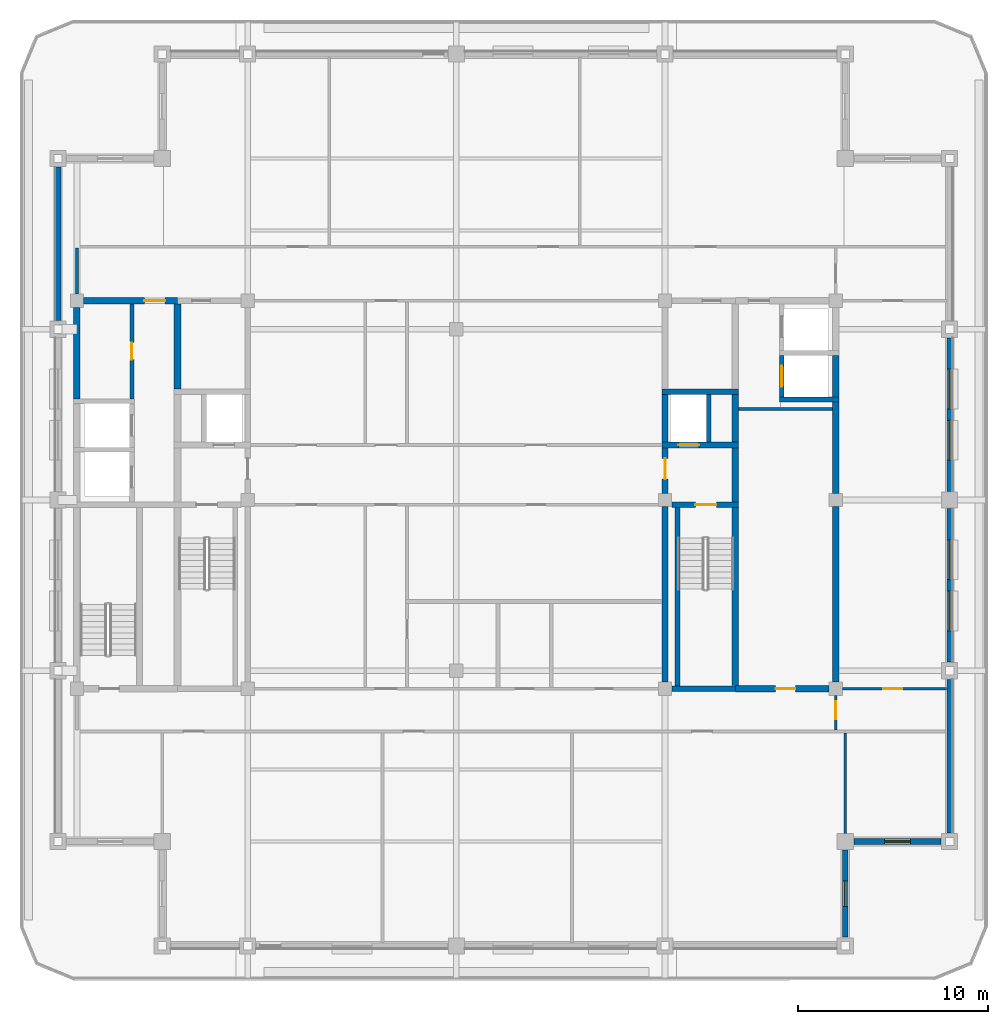
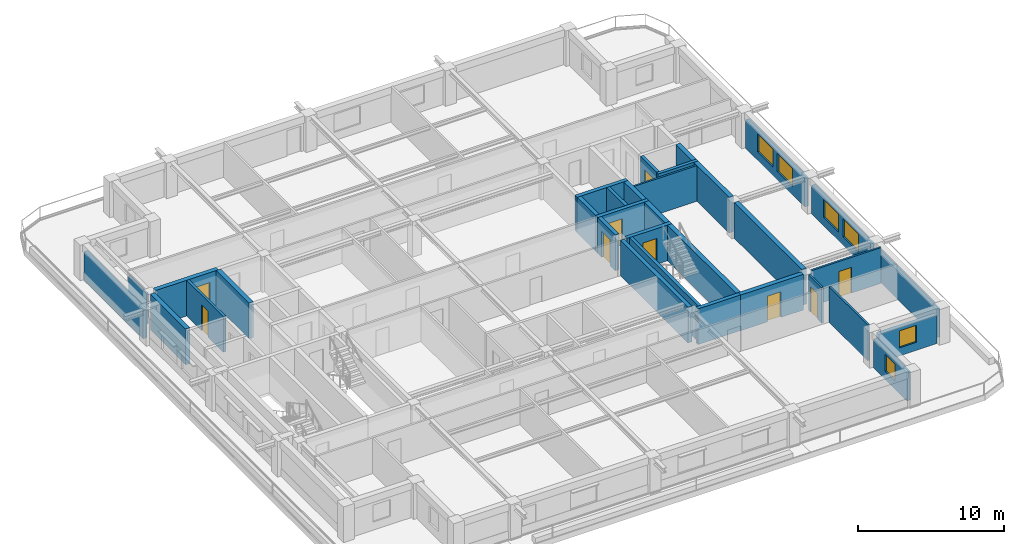
# One storey, part 4 of 11: 33 walls, 9 doors, 6 windows, 15 openings.
"""IFC4 building model written with IfcOpenShell, lengths in metres."""

from ifc_helpers import new_model, si_unit, direction, frame, frame_2d, origin, place, context, subcontext, project, spatial, rectangle, extrude, material, layer, layer_set, type_object, element, fill, save


model = new_model("IFC4")

# Units and contexts
model_context = context("Model", 3, precision=1e-05, world=origin(), true_north=direction((0.0, 1.0)))
body_context = subcontext(model_context, "Body", "Model", "MODEL_VIEW")
ifc_project = project(units=[si_unit("LENGTHUNIT", "METRE"), si_unit("AREAUNIT", "SQUARE_METRE"), si_unit("VOLUMEUNIT", "CUBIC_METRE"), si_unit("PLANEANGLEUNIT", "RADIAN"), si_unit("MASSUNIT", "GRAM", prefix="KILO")], contexts=[model_context])

# Site, building, storey
site_placement = place(None, origin())
site = spatial("IfcSite", under=ifc_project, at=site_placement, CompositionType="ELEMENT")
building_placement = place(site_placement, origin())
building = spatial("IfcBuilding", under=site, at=building_placement, Name="Zulmaris Gate Convention Tower", CompositionType="ELEMENT")
storey_placement = place(building_placement, frame((0.0, 0.0, 236.510009765625)))
storey = spatial("IfcBuildingStorey", under=building, at=storey_placement, Name="L62", CompositionType="ELEMENT", Elevation=236.510009765625)

# Walls
ifc_material_1 = material(Name="Concrete C50/60", Category="concrete")
ifc_layer_1 = layer(ifc_material_1, 0.25, Name="Concrete C50/60")
ifc_layer_set_1 = layer_set([ifc_layer_1], Name="Concrete C50/60")
wall_type_1 = type_object("IfcWallType", Name="CORE-250", PredefinedType="SOLIDWALL", material=ifc_layer_set_1)
wall_1_placement = place(storey_placement, frame((17.02490234375, 5.300048828125, 0.0), z_axis=(0.0, 0.0, 1.0), x_axis=(1.0, 0.0, 0.0)))
element("IfcWall", 1, at=wall_1_placement, inside=storey, type_object=wall_type_1, Name="WL-L62-011", PredefinedType="SOLIDWALL", context=body_context, shape_type="SweptSolid", body=[
    extrude(rectangle(XDim=3.150146484375, YDim=0.25, at=frame_2d((1.5751953125, 0.0))), origin(), (0.0, 0.0, 1.0), 2.97998046875),
])
wall_2_placement = place(storey_placement, frame((11.64990234375, -9.798095703125, 0.0), z_axis=(0.0, 0.0, 1.0), x_axis=(0.0, 1.0, 0.0)))
element("IfcWall", 2, at=wall_2_placement, inside=storey, type_object=wall_type_1, Name="WL-L62-050", PredefinedType="SOLIDWALL", context=body_context, shape_type="SweptSolid", body=[
    extrude(rectangle(XDim=9.39599609375, YDim=0.25, at=frame_2d((4.697998046875, 0.0))), origin(), (0.0, 0.0, 1.0), 2.97998046875),
])
wall_3_placement = place(storey_placement, frame((13.300048828125, 3.052001953125, 0.0), z_axis=(0.0, 0.0, 1.0), x_axis=(0.0, 1.0, 0.0)))
element("IfcWall", 3, at=wall_3_placement, inside=storey, type_object=wall_type_1, Name="WL-L62-051", PredefinedType="SOLIDWALL", context=body_context, shape_type="SweptSolid", body=[
    extrude(rectangle(XDim=2.49609375, YDim=0.25, at=frame_2d((1.248046875, 0.0))), origin(), (0.0, 0.0, 1.0), 2.97998046875),
])

# Wall, opening, door
wall_4_placement = place(storey_placement, frame((17.14990234375, 5.427001953125, 0.0), z_axis=(0.0, 0.0, 1.0), x_axis=(0.0, 1.0, 0.0)))
wall_4 = element("IfcWall", 4, at=wall_4_placement, inside=storey, type_object=wall_type_1, Name="WL-L62-056", PredefinedType="SOLIDWALL", context=body_context, shape_type="SweptSolid", body=[
    extrude(rectangle(XDim=2.196044921875, YDim=0.25, at=frame_2d((1.09814453125, 0.0))), origin(), (0.0, 0.0, 1.0), 2.97998046875),
])
opening_1_placement = place(wall_4_placement, frame((0.548095703125, 0.0, 0.0)))
opening_1 = element("IfcOpeningElement", 5, at=opening_1_placement, cuts=wall_4, Name="Opening D-06", PredefinedType="OPENING", context=body_context, shape_type="SweptSolid", body=[
    extrude(rectangle(XDim=1.10009765625, YDim=2.199951171875, at=frame_2d((0.550048828125, 1.10009765625))), frame((0.0, 0.135009765625, 0.0), z_axis=(0.0, -1.0, 0.0), x_axis=(1.0, 0.0, 0.0)), (0.0, 0.0, 1.0), 0.27001953125),
])
ifc_material_2 = material(Name="Brushed Stainless Steel", Category="steel")
door_type_1 = type_object("IfcDoorType", Name="LD-1100", OperationType="NOTDEFINED", PredefinedType="DOOR", material=ifc_material_2)
door_1_placement = place(opening_1_placement, origin())
door_1 = element("IfcDoor", 6, at=door_1_placement, inside=storey, type_object=door_type_1, Name="L62 Lift Landing Door HP-01 14", OperationType="SLIDING_TO_RIGHT", OverallHeight=2.199951171875, OverallWidth=1.10009765625, PredefinedType="DOOR", context=body_context, shape_type="SweptSolid", body=[
    extrude(rectangle(XDim=1.10009765625, YDim=2.199951171875, at=frame_2d((0.550048828125, 1.10009765625))), frame((0.0, 0.02490234375, 0.0), z_axis=(0.0, -1.0, 0.0), x_axis=(1.0, 0.0, 0.0)), (0.0, 0.0, 1.0), 0.050048828125),
])
fill(opening_1, door_1)

# Wall
ifc_layer_2 = layer(ifc_material_1, 0.300048828125, Name="Concrete C50/60")
ifc_layer_set_2 = layer_set([ifc_layer_2], Name="Concrete C50/60")
wall_type_2 = type_object("IfcWallType", Name="CORE-300", PredefinedType="SHEAR", material=ifc_layer_set_2)
wall_5_placement = place(storey_placement, frame((11.35400390625, -9.949951171875, 0.0), z_axis=(0.0, 0.0, 1.0), x_axis=(1.0, 0.0, 0.0)))
element("IfcWall", 7, at=wall_5_placement, inside=storey, type_object=wall_type_2, Name="WL-L62-003", PredefinedType="SHEAR", context=body_context, shape_type="SweptSolid", body=[
    extrude(rectangle(XDim=3.345947265625, YDim=0.300048828125, at=frame_2d((1.6728515625, 0.0))), origin(), (0.0, 0.0, 1.0), 2.97998046875),
])

# Wall, opening, door
wall_6_placement = place(storey_placement, frame((11.35400390625, -0.25, 0.0), z_axis=(0.0, 0.0, 1.0), x_axis=(1.0, 0.0, 0.0)))
wall_6 = element("IfcWall", 8, at=wall_6_placement, inside=storey, type_object=wall_type_2, Name="WL-L62-006", PredefinedType="SHEAR", context=body_context, shape_type="SweptSolid", body=[
    extrude(rectangle(XDim=3.52099609375, YDim=0.300048828125, at=frame_2d((1.760498046875, 0.0))), origin(), (0.0, 0.0, 1.0), 2.97998046875),
])
opening_2_placement = place(wall_6_placement, frame((1.24609375, 0.0, 0.0)))
opening_2 = element("IfcOpeningElement", 9, at=opening_2_placement, cuts=wall_6, Name="Opening D-08", PredefinedType="OPENING", context=body_context, shape_type="SweptSolid", body=[
    extrude(rectangle(XDim=1.10009765625, YDim=2.14990234375, at=frame_2d((0.550048828125, 1.074951171875))), frame((0.0, 0.16015625, 0.0), z_axis=(0.0, -1.0, 0.0), x_axis=(1.0, 0.0, 0.0)), (0.0, 0.0, 1.0), 0.320068359375),
])
ifc_material_3 = material(Name="Fire-Rated Steel", Category="steel")
door_type_2 = type_object("IfcDoorType", Name="DR-1100-FD", OperationType="NOTDEFINED", PredefinedType="DOOR", material=ifc_material_3)
door_2_placement = place(opening_2_placement, origin())
door_2 = element("IfcDoor", 10, at=door_2_placement, inside=storey, type_object=door_type_2, Name="L62 Exit Stair ST-2 Door 04", OperationType="SINGLE_SWING_RIGHT", OverallHeight=2.14990234375, OverallWidth=1.10009765625, PredefinedType="DOOR", context=body_context, shape_type="SweptSolid", body=[
    extrude(rectangle(XDim=1.10009765625, YDim=2.14990234375, at=frame_2d((0.550048828125, 1.074951171875))), frame((0.0, 0.02490234375, 0.0), z_axis=(0.0, -1.0, 0.0), x_axis=(1.0, 0.0, 0.0)), (0.0, 0.0, 1.0), 0.050048828125),
])
fill(opening_2, door_2)

wall_7_placement = place(storey_placement, frame((10.85009765625, 2.89990234375, 0.0), z_axis=(0.0, 0.0, 1.0), x_axis=(1.0, 0.0, 0.0)))
wall_7 = element("IfcWall", 11, at=wall_7_placement, inside=storey, type_object=wall_type_2, Name="WL-L62-009", PredefinedType="SHEAR", context=body_context, shape_type="SweptSolid", body=[
    extrude(rectangle(XDim=4.02490234375, YDim=0.300048828125, at=frame_2d((2.012451171875, 0.0))), origin(), (0.0, 0.0, 1.0), 2.97998046875),
])
opening_3_placement = place(wall_7_placement, frame((0.85009765625, 0.0, 0.0)))
opening_3 = element("IfcOpeningElement", 12, at=opening_3_placement, cuts=wall_7, Name="Opening D-06", PredefinedType="OPENING", context=body_context, shape_type="SweptSolid", body=[
    extrude(rectangle(XDim=1.10009765625, YDim=2.199951171875, at=frame_2d((0.550048828125, 1.10009765625))), frame((0.0, 0.16015625, 0.0), z_axis=(0.0, -1.0, 0.0), x_axis=(1.0, 0.0, 0.0)), (0.0, 0.0, 1.0), 0.320068359375),
])
door_3_placement = place(opening_3_placement, origin())
door_3 = element("IfcDoor", 13, at=door_3_placement, inside=storey, type_object=door_type_1, Name="L62 Lift Landing Door LF-02 06", OperationType="SLIDING_TO_RIGHT", OverallHeight=2.199951171875, OverallWidth=1.10009765625, PredefinedType="DOOR", context=body_context, shape_type="SweptSolid", body=[
    extrude(rectangle(XDim=1.10009765625, YDim=2.199951171875, at=frame_2d((0.550048828125, 1.10009765625))), frame((0.0, 0.02490234375, 0.0), z_axis=(0.0, -1.0, 0.0), x_axis=(1.0, 0.0, 0.0)), (0.0, 0.0, 1.0), 0.050048828125),
])
fill(opening_3, door_3)

# Walls
wall_8_placement = place(storey_placement, frame((10.85009765625, 5.699951171875, 0.0), z_axis=(0.0, 0.0, 1.0), x_axis=(1.0, 0.0, 0.0)))
element("IfcWall", 14, at=wall_8_placement, inside=storey, type_object=wall_type_2, Name="WL-L62-013", PredefinedType="SHEAR", context=body_context, shape_type="SweptSolid", body=[
    extrude(rectangle(XDim=4.02490234375, YDim=0.300048828125, at=frame_2d((2.012451171875, 0.0))), origin(), (0.0, 0.0, 1.0), 2.97998046875),
])
wall_9_placement = place(storey_placement, frame((11.0, -9.595947265625, 0.0), z_axis=(0.0, 0.0, 1.0), x_axis=(0.0, 1.0, 0.0)))
element("IfcWall", 15, at=wall_9_placement, inside=storey, type_object=wall_type_2, Name="WL-L62-046", PredefinedType="SHEAR", context=body_context, shape_type="SweptSolid", body=[
    extrude(rectangle(XDim=9.241943359375, YDim=0.300048828125, at=frame_2d((4.62109375, 0.0))), origin(), (0.0, 0.0, 1.0), 2.97998046875),
])

# Wall, opening, door
wall_10_placement = place(storey_placement, frame((11.0, 0.35400390625, 0.0), z_axis=(0.0, 0.0, 1.0), x_axis=(0.0, 1.0, 0.0)))
wall_10 = element("IfcWall", 16, at=wall_10_placement, inside=storey, type_object=wall_type_2, Name="WL-L62-047", PredefinedType="SHEAR", context=body_context, shape_type="SweptSolid", body=[
    extrude(rectangle(XDim=2.39404296875, YDim=0.300048828125, at=frame_2d((1.197021484375, 0.0))), origin(), (0.0, 0.0, 1.0), 2.97998046875),
])
opening_4_placement = place(wall_10_placement, frame((0.74609375, 0.0, 0.0)))
opening_4 = element("IfcOpeningElement", 17, at=opening_4_placement, cuts=wall_10, Name="Opening D-08", PredefinedType="OPENING", context=body_context, shape_type="SweptSolid", body=[
    extrude(rectangle(XDim=1.10009765625, YDim=2.14990234375, at=frame_2d((0.550048828125, 1.074951171875))), frame((0.0, 0.16015625, 0.0), z_axis=(0.0, -1.0, 0.0), x_axis=(1.0, 0.0, 0.0)), (0.0, 0.0, 1.0), 0.320068359375),
])
door_4_placement = place(opening_4_placement, origin())
door_4 = element("IfcDoor", 18, at=door_4_placement, inside=storey, type_object=door_type_2, Name="L62 East Firefighting Lobby Door 05", OperationType="SINGLE_SWING_LEFT", OverallHeight=2.14990234375, OverallWidth=1.10009765625, PredefinedType="DOOR", context=body_context, shape_type="SweptSolid", body=[
    extrude(rectangle(XDim=1.10009765625, YDim=2.14990234375, at=frame_2d((0.550048828125, 1.074951171875))), frame((0.0, 0.02490234375, 0.0), z_axis=(0.0, -1.0, 0.0), x_axis=(1.0, 0.0, 0.0)), (0.0, 0.0, 1.0), 0.050048828125),
])
fill(opening_4, door_4)

# Wall
wall_11_placement = place(storey_placement, frame((11.0, 3.052001953125, 0.0), z_axis=(0.0, 0.0, 1.0), x_axis=(0.0, 1.0, 0.0)))
element("IfcWall", 19, at=wall_11_placement, inside=storey, type_object=wall_type_2, Name="WL-L62-048", PredefinedType="SHEAR", context=body_context, shape_type="SweptSolid", body=[
    extrude(rectangle(XDim=2.49609375, YDim=0.300048828125, at=frame_2d((1.248046875, 0.0))), origin(), (0.0, 0.0, 1.0), 2.97998046875),
])

# Wall, opening, door
ifc_material_4 = material(Name="Concrete C55/67", Category="concrete")
ifc_layer_3 = layer(ifc_material_4, 0.35009765625, Name="Concrete C55/67")
ifc_layer_set_3 = layer_set([ifc_layer_3], Name="Concrete C55/67")
wall_type_3 = type_object("IfcWallType", Name="CORE-350", PredefinedType="SHEAR", material=ifc_layer_set_3)
wall_12_placement = place(storey_placement, frame((14.699951171875, -9.949951171875, 0.0), z_axis=(0.0, 0.0, 1.0), x_axis=(1.0, 0.0, 0.0)))
wall_12 = element("IfcWall", 20, at=wall_12_placement, inside=storey, type_object=wall_type_3, Name="WL-L62-004", PredefinedType="SHEAR", context=body_context, shape_type="SweptSolid", body=[
    extrude(rectangle(XDim=4.946044921875, YDim=0.35009765625, at=frame_2d((2.47314453125, 0.0))), origin(), (0.0, 0.0, 1.0), 2.97998046875),
])
opening_5_placement = place(wall_12_placement, frame((2.125, 0.0, 0.0)))
opening_5 = element("IfcOpeningElement", 21, at=opening_5_placement, cuts=wall_12, Name="Opening D-09", PredefinedType="OPENING", context=body_context, shape_type="SweptSolid", body=[
    extrude(rectangle(XDim=1.050048828125, YDim=2.14990234375, at=frame_2d((0.52490234375, 1.074951171875))), frame((0.0, 0.18505859375, 0.0), z_axis=(0.0, -1.0, 0.0), x_axis=(1.0, 0.0, 0.0)), (0.0, 0.0, 1.0), 0.3701171875),
])
door_type_3 = type_object("IfcDoorType", Name="DR-1050-FD", OperationType="NOTDEFINED", PredefinedType="DOOR", material=ifc_material_3)
door_5_placement = place(opening_5_placement, origin())
door_5 = element("IfcDoor", 22, at=door_5_placement, inside=storey, type_object=door_type_3, Name="L62 Housekeeping Hall Door 17", OperationType="SINGLE_SWING_RIGHT", OverallHeight=2.14990234375, OverallWidth=1.050048828125, PredefinedType="DOOR", context=body_context, shape_type="SweptSolid", body=[
    extrude(rectangle(XDim=1.050048828125, YDim=2.14990234375, at=frame_2d((0.52490234375, 1.074951171875))), frame((0.0, 0.02490234375, 0.0), z_axis=(0.0, -1.0, 0.0), x_axis=(1.0, 0.0, 0.0)), (0.0, 0.0, 1.0), 0.050048828125),
])
fill(opening_5, door_5)

wall_13_placement = place(storey_placement, frame((-19.64599609375, 10.5, 0.0), z_axis=(0.0, 0.0, 1.0), x_axis=(1.0, 0.0, 0.0)))
wall_13 = element("IfcWall", 23, at=wall_13_placement, inside=storey, type_object=wall_type_3, Name="WL-L62-015", PredefinedType="SHEAR", context=body_context, shape_type="SweptSolid", body=[
    extrude(rectangle(XDim=4.946044921875, YDim=0.35009765625, at=frame_2d((2.47314453125, 0.0))), origin(), (0.0, 0.0, 1.0), 2.97998046875),
])
opening_6_placement = place(wall_13_placement, frame((3.196044921875, 0.0, 0.0)))
opening_6 = element("IfcOpeningElement", 24, at=opening_6_placement, cuts=wall_13, Name="Opening D-08", PredefinedType="OPENING", context=body_context, shape_type="SweptSolid", body=[
    extrude(rectangle(XDim=1.10009765625, YDim=2.14990234375, at=frame_2d((0.550048828125, 1.074951171875))), frame((0.0, 0.18505859375, 0.0), z_axis=(0.0, -1.0, 0.0), x_axis=(1.0, 0.0, 0.0)), (0.0, 0.0, 1.0), 0.3701171875),
])
door_6_placement = place(opening_6_placement, origin())
door_6 = element("IfcDoor", 25, at=door_6_placement, inside=storey, type_object=door_type_2, Name="L62 High-Rise West Lift Lobby Door 12", OperationType="SINGLE_SWING_LEFT", OverallHeight=2.14990234375, OverallWidth=1.10009765625, PredefinedType="DOOR", context=body_context, shape_type="SweptSolid", body=[
    extrude(rectangle(XDim=1.10009765625, YDim=2.14990234375, at=frame_2d((0.550048828125, 1.074951171875))), frame((0.0, 0.02490234375, 0.0), z_axis=(0.0, -1.0, 0.0), x_axis=(1.0, 0.0, 0.0)), (0.0, 0.0, 1.0), 0.050048828125),
])
fill(opening_6, door_6)

# Walls
wall_14_placement = place(storey_placement, frame((-20.0, 5.326904296875, 0.0), z_axis=(0.0, 0.0, 1.0), x_axis=(0.0, 1.0, 0.0)))
element("IfcWall", 26, at=wall_14_placement, inside=storey, type_object=wall_type_3, Name="WL-L62-032", PredefinedType="SHEAR", context=body_context, shape_type="SweptSolid", body=[
    extrude(rectangle(XDim=4.819091796875, YDim=0.35009765625, at=frame_2d((2.40966796875, 0.0))), origin(), (0.0, 0.0, 1.0), 2.97998046875),
])
wall_15_placement = place(storey_placement, frame((-14.699951171875, 5.85205078125, 0.0), z_axis=(0.0, 0.0, 1.0), x_axis=(0.0, 1.0, 0.0)))
element("IfcWall", 27, at=wall_15_placement, inside=storey, type_object=wall_type_3, Name="WL-L62-039", PredefinedType="SHEAR", context=body_context, shape_type="SweptSolid", body=[
    extrude(rectangle(XDim=4.470947265625, YDim=0.35009765625, at=frame_2d((2.2353515625, 0.0))), origin(), (0.0, 0.0, 1.0), 2.97998046875),
])
wall_16_placement = place(storey_placement, frame((14.699951171875, -9.77294921875, 0.0), z_axis=(0.0, 0.0, 1.0), x_axis=(0.0, 1.0, 0.0)))
element("IfcWall", 28, at=wall_16_placement, inside=storey, type_object=wall_type_3, Name="WL-L62-052", PredefinedType="SHEAR", context=body_context, shape_type="SweptSolid", body=[
    extrude(rectangle(XDim=9.370849609375, YDim=0.35009765625, at=frame_2d((4.685546875, 0.0))), origin(), (0.0, 0.0, 1.0), 2.97998046875),
])
wall_17_placement = place(storey_placement, frame((14.699951171875, -0.097900390625, 0.0), z_axis=(0.0, 0.0, 1.0), x_axis=(0.0, 1.0, 0.0)))
element("IfcWall", 29, at=wall_17_placement, inside=storey, type_object=wall_type_3, Name="WL-L62-053", PredefinedType="SHEAR", context=body_context, shape_type="SweptSolid", body=[
    extrude(rectangle(XDim=2.845947265625, YDim=0.35009765625, at=frame_2d((1.4228515625, 0.0))), origin(), (0.0, 0.0, 1.0), 2.97998046875),
])
wall_18_placement = place(storey_placement, frame((14.699951171875, 3.052001953125, 0.0), z_axis=(0.0, 0.0, 1.0), x_axis=(0.0, 1.0, 0.0)))
element("IfcWall", 30, at=wall_18_placement, inside=storey, type_object=wall_type_3, Name="WL-L62-054", PredefinedType="SHEAR", context=body_context, shape_type="SweptSolid", body=[
    extrude(rectangle(XDim=2.49609375, YDim=0.35009765625, at=frame_2d((1.248046875, 0.0))), origin(), (0.0, 0.0, 1.0), 2.97998046875),
])
wall_19_placement = place(storey_placement, frame((20.0, -9.595947265625, 0.0), z_axis=(0.0, 0.0, 1.0), x_axis=(0.0, 1.0, 0.0)))
element("IfcWall", 31, at=wall_19_placement, inside=storey, type_object=wall_type_3, Name="WL-L62-058", PredefinedType="SHEAR", context=body_context, shape_type="SweptSolid", body=[
    extrude(rectangle(XDim=9.241943359375, YDim=0.35009765625, at=frame_2d((4.62109375, 0.0))), origin(), (0.0, 0.0, 1.0), 2.97998046875),
])
wall_20_placement = place(storey_placement, frame((20.0, 0.35400390625, 0.0), z_axis=(0.0, 0.0, 1.0), x_axis=(0.0, 1.0, 0.0)))
element("IfcWall", 32, at=wall_20_placement, inside=storey, type_object=wall_type_3, Name="WL-L62-058S1", PredefinedType="SHEAR", context=body_context, shape_type="SweptSolid", body=[
    extrude(rectangle(XDim=4.819091796875, YDim=0.35009765625, at=frame_2d((2.40966796875, 0.0))), origin(), (0.0, 0.0, 1.0), 2.97998046875),
])
wall_21_placement = place(storey_placement, frame((20.0, 5.427001953125, 0.0), z_axis=(0.0, 0.0, 1.0), x_axis=(0.0, 1.0, 0.0)))
element("IfcWall", 33, at=wall_21_placement, inside=storey, type_object=wall_type_3, Name="WL-L62-059", PredefinedType="SHEAR", context=body_context, shape_type="SweptSolid", body=[
    extrude(rectangle(XDim=2.196044921875, YDim=0.35009765625, at=frame_2d((1.09814453125, 0.0))), origin(), (0.0, 0.0, 1.0), 2.97998046875),
])

# Wall, opening, door
ifc_material_5 = material(Name="Gypsum Metal Stud Partition")
ifc_layer_4 = layer(ifc_material_5, 0.14990234375, Name="Gypsum Metal Stud Partition")
ifc_layer_set_4 = layer_set([ifc_layer_4], Name="Gypsum Metal Stud Partition")
wall_type_4 = type_object("IfcWallType", Name="PART-150", PredefinedType="PARTITIONING", material=ifc_layer_set_4)
wall_22_placement = place(storey_placement, frame((20.35595703125, -9.949951171875, 0.0), z_axis=(0.0, 0.0, 1.0), x_axis=(1.0, 0.0, 0.0)))
wall_22 = element("IfcWall", 34, at=wall_22_placement, inside=storey, type_object=wall_type_4, Name="WL-L62-021", PredefinedType="PARTITIONING", context=body_context, shape_type="SweptSolid", body=[
    extrude(rectangle(XDim=5.47900390625, YDim=0.14990234375, at=frame_2d((2.739501953125, 0.0))), origin(), (0.0, 0.0, 1.0), 2.97998046875),
])
opening_7_placement = place(wall_22_placement, frame((2.14404296875, 0.0, 0.0)))
opening_7 = element("IfcOpeningElement", 35, at=opening_7_placement, cuts=wall_22, Name="Opening D-10", PredefinedType="OPENING", context=body_context, shape_type="SweptSolid", body=[
    extrude(rectangle(XDim=1.0, YDim=2.14990234375, at=frame_2d((0.5, 1.074951171875))), frame((0.0, 0.0849609375, 0.0), z_axis=(0.0, -1.0, 0.0), x_axis=(1.0, 0.0, 0.0)), (0.0, 0.0, 1.0), 0.169921875),
])
ifc_material_6 = material(Name="Fire-Rated Timber", Category="wood")
door_type_4 = type_object("IfcDoorType", Name="DR-1000-FD", OperationType="NOTDEFINED", PredefinedType="DOOR", material=ifc_material_6)
door_7_placement = place(opening_7_placement, origin())
door_7 = element("IfcDoor", 36, at=door_7_placement, inside=storey, type_object=door_type_4, Name="L62 East Workplace South Door 38", OperationType="SINGLE_SWING_LEFT", OverallHeight=2.14990234375, OverallWidth=1.0, PredefinedType="DOOR", context=body_context, shape_type="SweptSolid", body=[
    extrude(rectangle(XDim=1.0, YDim=2.14990234375, at=frame_2d((0.5, 1.074951171875))), frame((0.0, 0.02490234375, 0.0), z_axis=(0.0, -1.0, 0.0), x_axis=(1.0, 0.0, 0.0)), (0.0, 0.0, 1.0), 0.050048828125),
])
fill(opening_7, door_7)

# Walls
wall_23_placement = place(storey_placement, frame((14.8779296875, 4.800048828125, 0.0), z_axis=(0.0, 0.0, 1.0), x_axis=(1.0, 0.0, 0.0)))
element("IfcWall", 37, at=wall_23_placement, inside=storey, type_object=wall_type_4, Name="WL-L62-025", PredefinedType="PARTITIONING", context=body_context, shape_type="SweptSolid", body=[
    extrude(rectangle(XDim=4.944091796875, YDim=0.14990234375, at=frame_2d((2.47216796875, 0.0))), origin(), (0.0, 0.0, 1.0), 2.97998046875),
])
wall_24_placement = place(storey_placement, frame((-20.0, 10.85595703125, 0.0), z_axis=(0.0, 0.0, 1.0), x_axis=(0.0, 1.0, 0.0)))
element("IfcWall", 38, at=wall_24_placement, inside=storey, type_object=wall_type_4, Name="WL-L62-062", PredefinedType="PARTITIONING", context=body_context, shape_type="SweptSolid", body=[
    extrude(rectangle(XDim=2.416015625, YDim=0.14990234375, at=frame_2d((1.2080078125, 0.0))), origin(), (0.0, 0.0, 1.0), 2.570068359375),
])

# Wall, opening, door
wall_25_placement = place(storey_placement, frame((20.0, -12.1220703125, 0.0), z_axis=(0.0, 0.0, 1.0), x_axis=(0.0, 1.0, 0.0)))
wall_25 = element("IfcWall", 39, at=wall_25_placement, inside=storey, type_object=wall_type_4, Name="WL-L62-076", PredefinedType="PARTITIONING", context=body_context, shape_type="SweptSolid", body=[
    extrude(rectangle(XDim=1.816162109375, YDim=0.14990234375, at=frame_2d((0.908203125, 0.0))), origin(), (0.0, 0.0, 1.0), 2.97998046875),
])
opening_8_placement = place(wall_25_placement, frame((0.576904296875, 0.0, 0.0)))
opening_8 = element("IfcOpeningElement", 40, at=opening_8_placement, cuts=wall_25, Name="Opening D-11", PredefinedType="OPENING", context=body_context, shape_type="SweptSolid", body=[
    extrude(rectangle(XDim=0.949951171875, YDim=2.14990234375, at=frame_2d((0.47509765625, 1.074951171875))), frame((0.0, 0.0849609375, 0.0), z_axis=(0.0, -1.0, 0.0), x_axis=(1.0, 0.0, 0.0)), (0.0, 0.0, 1.0), 0.169921875),
])
door_type_5 = type_object("IfcDoorType", Name="DR-950-FD", OperationType="NOTDEFINED", PredefinedType="DOOR", material=ifc_material_6)
door_8_placement = place(opening_8_placement, origin())
door_8 = element("IfcDoor", 41, at=door_8_placement, inside=storey, type_object=door_type_5, Name="L62 SE Spur Door 36", OperationType="SINGLE_SWING_LEFT", OverallHeight=2.14990234375, OverallWidth=0.949951171875, PredefinedType="DOOR", context=body_context, shape_type="SweptSolid", body=[
    extrude(rectangle(XDim=0.949951171875, YDim=2.14990234375, at=frame_2d((0.47509765625, 1.074951171875))), frame((0.0, 0.02490234375, 0.0), z_axis=(0.0, -1.0, 0.0), x_axis=(1.0, 0.0, 0.0)), (0.0, 0.0, 1.0), 0.050048828125),
])
fill(opening_8, door_8)

# Wall
wall_26_placement = place(storey_placement, frame((20.5, -17.569091796875, 0.0), z_axis=(0.0, 0.0, 1.0), x_axis=(0.0, 1.0, 0.0)))
element("IfcWall", 42, at=wall_26_placement, inside=storey, type_object=wall_type_4, Name="WL-L62-078", PredefinedType="PARTITIONING", context=body_context, shape_type="SweptSolid", body=[
    extrude(rectangle(XDim=5.291015625, YDim=0.14990234375, at=frame_2d((2.6455078125, 0.0))), origin(), (0.0, 0.0, 1.0), 2.97998046875),
])

# Wall, opening, door
ifc_material_7 = material(Name="Autoclaved Aerated Concrete Block and Plasterboard", Category="concrete")
ifc_layer_5 = layer(ifc_material_7, 0.199951171875, Name="Autoclaved Aerated Concrete Block and Plasterboard")
ifc_layer_set_5 = layer_set([ifc_layer_5], Name="Autoclaved Aerated Concrete Block and Plasterboard")
wall_type_5 = type_object("IfcWallType", Name="PART-200", PredefinedType="PARTITIONING", material=ifc_layer_set_5)
wall_27_placement = place(storey_placement, frame((-17.10009765625, 5.327880859375, 0.0), z_axis=(0.0, 0.0, 1.0), x_axis=(0.0, 1.0, 0.0)))
wall_27 = element("IfcWall", 43, at=wall_27_placement, inside=storey, type_object=wall_type_5, Name="WL-L62-063", PredefinedType="PARTITIONING", context=body_context, shape_type="SweptSolid", body=[
    extrude(rectangle(XDim=4.994140625, YDim=0.199951171875, at=frame_2d((2.4970703125, 0.0))), origin(), (0.0, 0.0, 1.0), 2.97998046875),
])
opening_9_placement = place(wall_27_placement, frame((2.072021484375, 0.0, 0.0)))
opening_9 = element("IfcOpeningElement", 44, at=opening_9_placement, cuts=wall_27, Name="Opening D-12", PredefinedType="OPENING", context=body_context, shape_type="SweptSolid", body=[
    extrude(rectangle(XDim=0.89990234375, YDim=2.14990234375, at=frame_2d((0.449951171875, 1.074951171875))), frame((0.0, 0.10986328125, 0.0), z_axis=(0.0, -1.0, 0.0), x_axis=(1.0, 0.0, 0.0)), (0.0, 0.0, 1.0), 0.219970703125),
])
door_type_6 = type_object("IfcDoorType", Name="DR-900-FD", OperationType="NOTDEFINED", PredefinedType="DOOR", material=ifc_material_6)
door_9_placement = place(opening_9_placement, origin())
door_9 = element("IfcDoor", 45, at=door_9_placement, inside=storey, type_object=door_type_6, Name="L62 Housekeeping Door 13", OperationType="SINGLE_SWING_RIGHT", OverallHeight=2.14990234375, OverallWidth=0.89990234375, PredefinedType="DOOR", context=body_context, shape_type="SweptSolid", body=[
    extrude(rectangle(XDim=0.89990234375, YDim=2.14990234375, at=frame_2d((0.449951171875, 1.074951171875))), frame((0.0, 0.02490234375, 0.0), z_axis=(0.0, -1.0, 0.0), x_axis=(1.0, 0.0, 0.0)), (0.0, 0.0, 1.0), 0.050048828125),
])
fill(opening_9, door_9)

# Wall, opening, window
ifc_material_8 = material(Name="Precast concrete C40/50", Category="concrete")
ifc_layer_6 = layer(ifc_material_8, 0.300048828125, Name="Precast concrete C40/50")
ifc_layer_set_6 = layer_set([ifc_layer_6], Name="Precast concrete C40/50")
wall_type_6 = type_object("IfcWallType", Name="PRECAST-PIER-300", PredefinedType="STANDARD", material=ifc_layer_set_6)
wall_28_placement = place(storey_placement, frame((20.5, -23.044921875, 0.0), z_axis=(0.0, 0.0, 1.0), x_axis=(0.0, 1.0, 0.0)))
wall_28 = element("IfcWall", 46, at=wall_28_placement, inside=storey, type_object=wall_type_6, Name="EW-L62-NOTCH-SE1_0", PredefinedType="STANDARD", context=body_context, shape_type="SweptSolid", body=[
    extrude(rectangle(XDim=4.58984375, YDim=0.300048828125, at=frame_2d((2.294921875, 0.0))), origin(), (0.0, 0.0, 1.0), 2.3720703125),
])
opening_10_placement = place(wall_28_placement, frame((1.6201171875, 0.0, 0.679931640625)))
opening_10 = element("IfcOpeningElement", 47, at=opening_10_placement, cuts=wall_28, Name="Opening W-10", PredefinedType="OPENING", context=body_context, shape_type="SweptSolid", body=[
    extrude(rectangle(XDim=1.35009765625, YDim=1.419921875, at=frame_2d((0.675048828125, 0.7099609375))), frame((0.0, 0.16015625, 0.0), z_axis=(0.0, -1.0, 0.0), x_axis=(1.0, 0.0, 0.0)), (0.0, 0.0, 1.0), 0.320068359375),
])
ifc_material_9 = material(Name="Low-E Laminated Double Glazing in Aluminium Frame", Category="aluminium")
window_type_1 = type_object("IfcWindowType", Name="WIN-1350x2000", PartitioningType="SINGLE_PANEL", PredefinedType="WINDOW", material=ifc_material_9)
window_1_placement = place(opening_10_placement, origin())
window_1 = element("IfcWindow", 48, at=window_1_placement, inside=storey, type_object=window_type_1, Name="WN-EW-L62-NOTCH-SE1_0", OverallHeight=1.419921875, OverallWidth=1.35009765625, PartitioningType="SINGLE_PANEL", PredefinedType="WINDOW", context=body_context, shape_type="SweptSolid", body=[
    extrude(rectangle(XDim=1.35009765625, YDim=1.419921875, at=frame_2d((0.675048828125, 0.7099609375))), frame((0.0, 0.030029296875, 0.0), z_axis=(0.0, -1.0, 0.0), x_axis=(1.0, 0.0, 0.0)), (0.0, 0.0, 1.0), 0.06005859375),
])
fill(opening_10, window_1)

wall_29_placement = place(storey_placement, frame((20.955078125, -18.0, 0.0), z_axis=(0.0, 0.0, 1.0), x_axis=(1.0, 0.0, 0.0)))
wall_29 = element("IfcWall", 49, at=wall_29_placement, inside=storey, type_object=wall_type_6, Name="EW-L62-NOTCH-SE2_0", PredefinedType="STANDARD", context=body_context, shape_type="SweptSolid", body=[
    extrude(rectangle(XDim=4.58984375, YDim=0.300048828125, at=frame_2d((2.294921875, 0.0))), origin(), (0.0, 0.0, 1.0), 2.3720703125),
])
opening_11_placement = place(wall_29_placement, frame((1.6201171875, 0.0, 0.679931640625)))
opening_11 = element("IfcOpeningElement", 50, at=opening_11_placement, cuts=wall_29, Name="Opening W-10", PredefinedType="OPENING", context=body_context, shape_type="SweptSolid", body=[
    extrude(rectangle(XDim=1.35009765625, YDim=1.419921875, at=frame_2d((0.675048828125, 0.7099609375))), frame((0.0, 0.16015625, 0.0), z_axis=(0.0, -1.0, 0.0), x_axis=(1.0, 0.0, 0.0)), (0.0, 0.0, 1.0), 0.320068359375),
])
window_2_placement = place(opening_11_placement, origin())
window_2 = element("IfcWindow", 51, at=window_2_placement, inside=storey, type_object=window_type_1, Name="WN-EW-L62-NOTCH-SE2_0", OverallHeight=1.419921875, OverallWidth=1.35009765625, PartitioningType="SINGLE_PANEL", PredefinedType="WINDOW", context=body_context, shape_type="SweptSolid", body=[
    extrude(rectangle(XDim=1.35009765625, YDim=1.419921875, at=frame_2d((0.675048828125, 0.7099609375))), frame((0.0, 0.030029296875, 0.0), z_axis=(0.0, -1.0, 0.0), x_axis=(1.0, 0.0, 0.0)), (0.0, 0.0, 1.0), 0.06005859375),
])
fill(opening_11, window_2)

# Wall
wall_30_placement = place(storey_placement, frame((26.0, -17.544921875, 0.0), z_axis=(0.0, 0.0, 1.0), x_axis=(0.0, 1.0, 0.0)))
element("IfcWall", 52, at=wall_30_placement, inside=storey, type_object=wall_type_6, Name="EW-L62-E-0_0", PredefinedType="STANDARD", context=body_context, shape_type="SweptSolid", body=[
    extrude(rectangle(XDim=8.08984375, YDim=0.300048828125, at=frame_2d((4.044921875, 0.0))), origin(), (0.0, 0.0, 1.0), 2.3720703125),
])

# Wall, openings, windows
wall_31_placement = place(storey_placement, frame((26.0, -8.544921875, 0.0), z_axis=(0.0, 0.0, 1.0), x_axis=(0.0, 1.0, 0.0)))
wall_31 = element("IfcWall", 53, at=wall_31_placement, inside=storey, type_object=wall_type_6, Name="EW-L62-E-1_0", PredefinedType="STANDARD", context=body_context, shape_type="SweptSolid", body=[
    extrude(rectangle(XDim=8.08984375, YDim=0.300048828125, at=frame_2d((4.044921875, 0.0))), origin(), (0.0, 0.0, 1.0), 2.3720703125),
])
opening_12_placement = place(wall_31_placement, frame((1.64697265625, 0.0, 0.699951171875)))
opening_12 = element("IfcOpeningElement", 54, at=opening_12_placement, cuts=wall_31, Name="Opening W-05", PredefinedType="OPENING", context=body_context, shape_type="SweptSolid", body=[
    extrude(rectangle(XDim=2.10009765625, YDim=1.5, at=frame_2d((1.050048828125, 0.75))), frame((0.0, 0.16015625, 0.0), z_axis=(0.0, -1.0, 0.0), x_axis=(1.0, 0.0, 0.0)), (0.0, 0.0, 1.0), 0.320068359375),
])
opening_13_placement = place(wall_31_placement, frame((4.343017578125, 0.0, 0.699951171875)))
opening_13 = element("IfcOpeningElement", 55, at=opening_13_placement, cuts=wall_31, Name="Opening W-05", PredefinedType="OPENING", context=body_context, shape_type="SweptSolid", body=[
    extrude(rectangle(XDim=2.10009765625, YDim=1.5, at=frame_2d((1.050048828125, 0.75))), frame((0.0, 0.16015625, 0.0), z_axis=(0.0, -1.0, 0.0), x_axis=(1.0, 0.0, 0.0)), (0.0, 0.0, 1.0), 0.320068359375),
])
window_type_2 = type_object("IfcWindowType", Name="WIN-2100x2400", PartitioningType="SINGLE_PANEL", PredefinedType="WINDOW", material=ifc_material_9)
window_3_placement = place(opening_12_placement, origin())
window_3 = element("IfcWindow", 56, at=window_3_placement, inside=storey, type_object=window_type_2, Name="WN-EW-L62-E-1_0-1", OverallHeight=1.5, OverallWidth=2.10009765625, PartitioningType="SINGLE_PANEL", PredefinedType="WINDOW", context=body_context, shape_type="SweptSolid", body=[
    extrude(rectangle(XDim=2.10009765625, YDim=1.5, at=frame_2d((1.050048828125, 0.75))), frame((0.0, 0.030029296875, 0.0), z_axis=(0.0, -1.0, 0.0), x_axis=(1.0, 0.0, 0.0)), (0.0, 0.0, 1.0), 0.06005859375),
])
fill(opening_12, window_3)
window_4_placement = place(opening_13_placement, origin())
window_4 = element("IfcWindow", 57, at=window_4_placement, inside=storey, type_object=window_type_2, Name="WN-EW-L62-E-1_0-2", OverallHeight=1.5, OverallWidth=2.10009765625, PartitioningType="SINGLE_PANEL", PredefinedType="WINDOW", context=body_context, shape_type="SweptSolid", body=[
    extrude(rectangle(XDim=2.10009765625, YDim=1.5, at=frame_2d((1.050048828125, 0.75))), frame((0.0, 0.030029296875, 0.0), z_axis=(0.0, -1.0, 0.0), x_axis=(1.0, 0.0, 0.0)), (0.0, 0.0, 1.0), 0.06005859375),
])
fill(opening_13, window_4)

wall_32_placement = place(storey_placement, frame((26.0, 0.455078125, 0.0), z_axis=(0.0, 0.0, 1.0), x_axis=(0.0, 1.0, 0.0)))
wall_32 = element("IfcWall", 58, at=wall_32_placement, inside=storey, type_object=wall_type_6, Name="EW-L62-E-2_0", PredefinedType="STANDARD", context=body_context, shape_type="SweptSolid", body=[
    extrude(rectangle(XDim=8.08984375, YDim=0.300048828125, at=frame_2d((4.044921875, 0.0))), origin(), (0.0, 0.0, 1.0), 2.3720703125),
])
opening_14_placement = place(wall_32_placement, frame((1.64697265625, 0.0, 0.699951171875)))
opening_14 = element("IfcOpeningElement", 59, at=opening_14_placement, cuts=wall_32, Name="Opening W-05", PredefinedType="OPENING", context=body_context, shape_type="SweptSolid", body=[
    extrude(rectangle(XDim=2.10009765625, YDim=1.5, at=frame_2d((1.050048828125, 0.75))), frame((0.0, 0.16015625, 0.0), z_axis=(0.0, -1.0, 0.0), x_axis=(1.0, 0.0, 0.0)), (0.0, 0.0, 1.0), 0.320068359375),
])
opening_15_placement = place(wall_32_placement, frame((4.343017578125, 0.0, 0.699951171875)))
opening_15 = element("IfcOpeningElement", 60, at=opening_15_placement, cuts=wall_32, Name="Opening W-05", PredefinedType="OPENING", context=body_context, shape_type="SweptSolid", body=[
    extrude(rectangle(XDim=2.10009765625, YDim=1.5, at=frame_2d((1.050048828125, 0.75))), frame((0.0, 0.16015625, 0.0), z_axis=(0.0, -1.0, 0.0), x_axis=(1.0, 0.0, 0.0)), (0.0, 0.0, 1.0), 0.320068359375),
])
window_5_placement = place(opening_14_placement, origin())
window_5 = element("IfcWindow", 61, at=window_5_placement, inside=storey, type_object=window_type_2, Name="WN-EW-L62-E-2_0-1", OverallHeight=1.5, OverallWidth=2.10009765625, PartitioningType="SINGLE_PANEL", PredefinedType="WINDOW", context=body_context, shape_type="SweptSolid", body=[
    extrude(rectangle(XDim=2.10009765625, YDim=1.5, at=frame_2d((1.050048828125, 0.75))), frame((0.0, 0.030029296875, 0.0), z_axis=(0.0, -1.0, 0.0), x_axis=(1.0, 0.0, 0.0)), (0.0, 0.0, 1.0), 0.06005859375),
])
fill(opening_14, window_5)
window_6_placement = place(opening_15_placement, origin())
window_6 = element("IfcWindow", 62, at=window_6_placement, inside=storey, type_object=window_type_2, Name="WN-EW-L62-E-2_0-2", OverallHeight=1.5, OverallWidth=2.10009765625, PartitioningType="SINGLE_PANEL", PredefinedType="WINDOW", context=body_context, shape_type="SweptSolid", body=[
    extrude(rectangle(XDim=2.10009765625, YDim=1.5, at=frame_2d((1.050048828125, 0.75))), frame((0.0, 0.030029296875, 0.0), z_axis=(0.0, -1.0, 0.0), x_axis=(1.0, 0.0, 0.0)), (0.0, 0.0, 1.0), 0.06005859375),
])
fill(opening_15, window_6)

# Wall
wall_33_placement = place(storey_placement, frame((-21.0, 17.544921875, 0.0), z_axis=(0.0, 0.0, 1.0), x_axis=(0.0, -1.0, 0.0)))
element("IfcWall", 63, at=wall_33_placement, inside=storey, type_object=wall_type_6, Name="EW-L62-W-3_0", PredefinedType="STANDARD", context=body_context, shape_type="SweptSolid", body=[
    extrude(rectangle(XDim=8.08984375, YDim=0.300048828125, at=frame_2d((4.044921875, 0.0))), origin(), (0.0, 0.0, 1.0), 2.3720703125),
])

save(model, "model.ifc")
